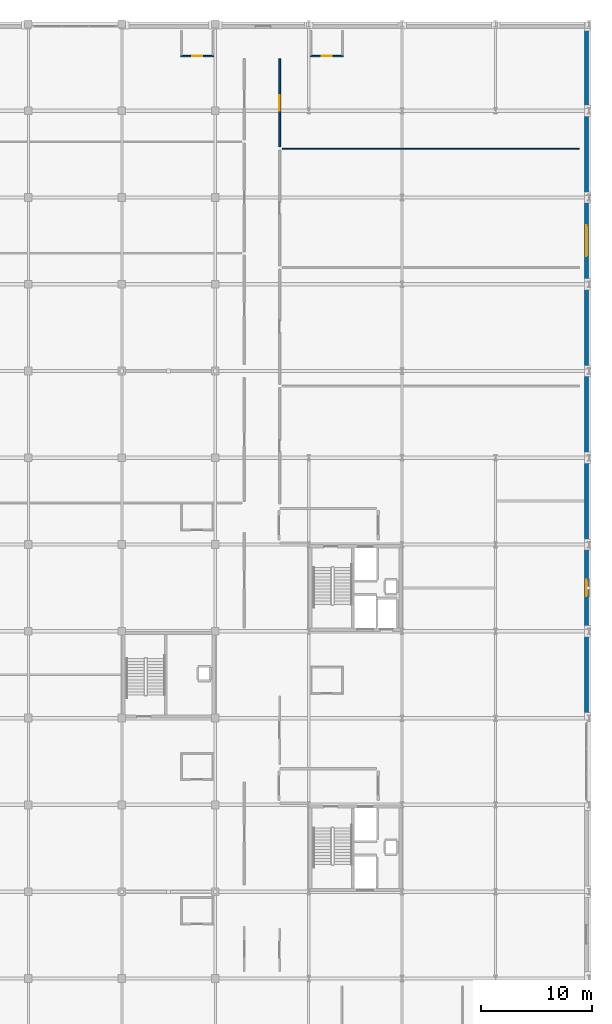
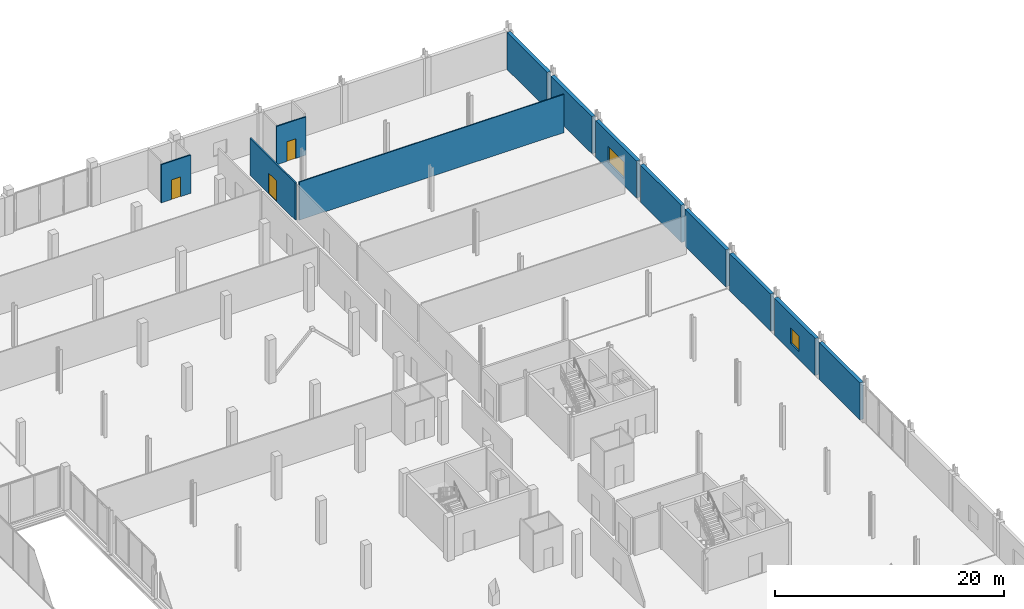
# One storey, part 77 of 98: 12 walls, 3 doors, 2 windows, 5 openings.
"""IFC4 building model written with IfcOpenShell, lengths in metres."""

from ifc_helpers import new_model, si_unit, direction, frame, frame_2d, origin, place, context, subcontext, project, spatial, rectangle, extrude, material, layer, layer_set, type_object, element, fill, save


model = new_model("IFC4")

# Units and contexts
model_context = context("Model", 3, precision=1e-05, world=origin(), true_north=direction((0.0, 1.0)))
body_context = subcontext(model_context, "Body", "Model", "MODEL_VIEW")
ifc_project = project(units=[si_unit("LENGTHUNIT", "METRE"), si_unit("AREAUNIT", "SQUARE_METRE"), si_unit("VOLUMEUNIT", "CUBIC_METRE"), si_unit("PLANEANGLEUNIT", "RADIAN"), si_unit("MASSUNIT", "GRAM", prefix="KILO")], contexts=[model_context])

# Site, building, storey
site_placement = place(None, origin())
site = spatial("IfcSite", under=ifc_project, at=site_placement, CompositionType="ELEMENT")
building_placement = place(site_placement, origin())
building = spatial("IfcBuilding", under=site, at=building_placement, Name="Nabrawat Pavilion Hospital", CompositionType="ELEMENT")
storey_placement = place(building_placement, frame((0.0, 0.0, 10.199951171875)))
storey = spatial("IfcBuildingStorey", under=building, at=storey_placement, Name="L02", CompositionType="ELEMENT", Elevation=10.199951171875)

# Wall
ifc_material_1 = material(Name="Gypsum Plasterboard on Stud", Category="gypsum")
ifc_layer_1 = layer(ifc_material_1, 0.10009765625, Name="Gypsum Plasterboard on Stud")
ifc_layer_set_1 = layer_set([ifc_layer_1], Name="Gypsum Plasterboard on Stud")
wall_type_1 = type_object("IfcWallType", Name="Clean Utility Sub-Partition 100", PredefinedType="PARTITIONING", material=ifc_layer_set_1)
wall_1_placement = place(storey_placement, frame((165.610107421875, 113.58740234375, 0.0), z_axis=(0.0, 0.0, 1.0), x_axis=(1.0, 0.0, 0.0)))
element("IfcWall", 1, at=wall_1_placement, inside=storey, type_object=wall_type_1, Name="L02 Surgical Step-Down Acute Clinical Care Hub L02-12 Dividing Partition", PredefinedType="PARTITIONING", context=body_context, shape_type="SweptSolid", body=[
    extrude(rectangle(XDim=26.699951171875, YDim=0.10009765625, at=frame_2d((13.35009765625, 0.0))), origin(), (0.0, 0.0, 1.0), 4.080078125),
])

# Wall, opening, door
ifc_material_2 = material(Name="Gypsum Fireboard on Steel Stud", Category="steel")
ifc_layer_2 = layer(ifc_material_2, 0.14990234375, Name="Gypsum Fireboard on Steel Stud")
ifc_layer_set_2 = layer_set([ifc_layer_2], Name="Gypsum Fireboard on Steel Stud")
wall_type_2 = type_object("IfcWallType", Name="Clinical Corridor Smoke-Barrier Wall 150", PredefinedType="PARTITIONING", material=ifc_layer_set_2)
wall_2_placement = place(storey_placement, frame((165.389892578125, 113.74755859375, 0.0), z_axis=(0.0, 0.0, 1.0), x_axis=(0.0, 1.0, 0.0)))
wall_2 = element("IfcWall", 2, at=wall_2_placement, inside=storey, type_object=wall_type_2, Name="L02 Inpatient Ward Surgical Single Bedroom L02-13 Front Partition", PredefinedType="PARTITIONING", context=body_context, shape_type="SweptSolid", body=[
    extrude(rectangle(XDim=7.92236328125, YDim=0.14990234375, at=frame_2d((3.961181640625, 0.0))), origin(), (0.0, 0.0, 1.0), 3.949951171875),
])
opening_1_placement = place(wall_2_placement, frame((3.26123046875, 0.0, 0.0)))
opening_1 = element("IfcOpeningElement", 3, at=opening_1_placement, cuts=wall_2, Name="Opening D-BED", PredefinedType="OPENING", context=body_context, shape_type="SweptSolid", body=[
    extrude(rectangle(XDim=1.39990234375, YDim=2.199951171875, at=frame_2d((0.699951171875, 1.10009765625))), frame((0.0, 0.0849609375, 0.0), z_axis=(0.0, -1.0, 0.0), x_axis=(1.0, 0.0, 0.0)), (0.0, 0.0, 1.0), 0.169921875),
])
ifc_material_3 = material(Name="Stainless-Clad Acoustic Timber and Vision Glass", Category="wood")
door_type_1 = type_object("IfcDoorType", Name="D-BED Inpatient Ward Leaf-and-a-Half Door 1400x2200", OperationType="NOTDEFINED", PredefinedType="DOOR", material=ifc_material_3)
door_1_placement = place(opening_1_placement, origin())
door_1 = element("IfcDoor", 4, at=door_1_placement, inside=storey, type_object=door_type_1, Name="Inpatient Ward Surgical Single Bedroom L02-13 Door", OperationType="SINGLE_SWING_LEFT", OverallHeight=2.199951171875, OverallWidth=1.39990234375, PredefinedType="DOOR", context=body_context, shape_type="SweptSolid", body=[
    extrude(rectangle(XDim=1.39990234375, YDim=2.199951171875, at=frame_2d((0.699951171875, 1.10009765625))), frame((0.0, 0.02490234375, 0.0), z_axis=(0.0, -1.0, 0.0), x_axis=(1.0, 0.0, 0.0)), (0.0, 0.0, 1.0), 0.050048828125),
])
fill(opening_1, door_1)

ifc_material_4 = material(Name="Cement Board on Steel Stud", Category="steel")
ifc_layer_3 = layer(ifc_material_4, 0.1298828125, Name="Cement Board on Steel Stud")
ifc_layer_set_3 = layer_set([ifc_layer_3], Name="Cement Board on Steel Stud")
wall_type_3 = type_object("IfcWallType", Name="En-Suite Moisture-Resistant Partition 130", PredefinedType="PARTITIONING", material=ifc_layer_set_3)
wall_3_placement = place(storey_placement, frame((156.4951171875, 121.909912109375, 0.0), z_axis=(0.0, 0.0, 1.0), x_axis=(1.0, 0.0, 0.0)))
wall_3 = element("IfcWall", 5, at=wall_3_placement, inside=storey, type_object=wall_type_3, Name="L02 En-Suite Bathroom WRD-SRG-07 Front Partition", PredefinedType="PARTITIONING", context=body_context, shape_type="SweptSolid", body=[
    extrude(rectangle(XDim=2.97998046875, YDim=0.1298828125, at=frame_2d((1.489990234375, 0.0))), origin(), (0.0, 0.0, 1.0), 4.080078125),
])
opening_2_placement = place(wall_3_placement, frame((1.0400390625, 0.0, 0.0)))
opening_2 = element("IfcOpeningElement", 6, at=opening_2_placement, cuts=wall_3, Name="Opening D-ENS-L", PredefinedType="OPENING", context=body_context, shape_type="SweptSolid", body=[
    extrude(rectangle(XDim=0.89990234375, YDim=2.10009765625, at=frame_2d((0.449951171875, 1.050048828125))), frame((0.0, 0.074951171875, 0.0), z_axis=(0.0, -1.0, 0.0), x_axis=(1.0, 0.0, 0.0)), (0.0, 0.0, 1.0), 0.14990234375),
])
door_type_2 = type_object("IfcDoorType", Name="En-Suite Bathroom Outward Door L 900x2100", OperationType="NOTDEFINED", PredefinedType="DOOR", material=ifc_material_3)
door_2_placement = place(opening_2_placement, origin())
door_2 = element("IfcDoor", 7, at=door_2_placement, inside=storey, type_object=door_type_2, Name="En-Suite Bathroom WRD-SRG-07 Door", OperationType="SINGLE_SWING_RIGHT", OverallHeight=2.10009765625, OverallWidth=0.89990234375, PredefinedType="DOOR", context=body_context, shape_type="SweptSolid", body=[
    extrude(rectangle(XDim=0.89990234375, YDim=2.10009765625, at=frame_2d((0.449951171875, 1.050048828125))), frame((0.0, 0.02490234375, 0.0), z_axis=(0.0, -1.0, 0.0), x_axis=(1.0, 0.0, 0.0)), (0.0, 0.0, 1.0), 0.050048828125),
])
fill(opening_2, door_2)

wall_4_placement = place(storey_placement, frame((168.125, 121.909912109375, 0.0), z_axis=(0.0, 0.0, 1.0), x_axis=(1.0, 0.0, 0.0)))
wall_4 = element("IfcWall", 8, at=wall_4_placement, inside=storey, type_object=wall_type_3, Name="L02 En-Suite Bathroom WRD-SRG-13 Front Partition", PredefinedType="PARTITIONING", context=body_context, shape_type="SweptSolid", body=[
    extrude(rectangle(XDim=2.97998046875, YDim=0.1298828125, at=frame_2d((1.489990234375, 0.0))), origin(), (0.0, 0.0, 1.0), 4.080078125),
])
opening_3_placement = place(wall_4_placement, frame((1.0400390625, 0.0, 0.0)))
opening_3 = element("IfcOpeningElement", 9, at=opening_3_placement, cuts=wall_4, Name="Opening D-ENS-L", PredefinedType="OPENING", context=body_context, shape_type="SweptSolid", body=[
    extrude(rectangle(XDim=0.89990234375, YDim=2.10009765625, at=frame_2d((0.449951171875, 1.050048828125))), frame((0.0, 0.074951171875, 0.0), z_axis=(0.0, -1.0, 0.0), x_axis=(1.0, 0.0, 0.0)), (0.0, 0.0, 1.0), 0.14990234375),
])
door_3_placement = place(opening_3_placement, origin())
door_3 = element("IfcDoor", 10, at=door_3_placement, inside=storey, type_object=door_type_2, Name="En-Suite Bathroom WRD-SRG-13 Door", OperationType="SINGLE_SWING_RIGHT", OverallHeight=2.10009765625, OverallWidth=0.89990234375, PredefinedType="DOOR", context=body_context, shape_type="SweptSolid", body=[
    extrude(rectangle(XDim=0.89990234375, YDim=2.10009765625, at=frame_2d((0.449951171875, 1.050048828125))), frame((0.0, 0.02490234375, 0.0), z_axis=(0.0, -1.0, 0.0), x_axis=(1.0, 0.0, 0.0)), (0.0, 0.0, 1.0), 0.050048828125),
])
fill(opening_3, door_3)

# Wall
ifc_material_5 = material(Name="Precast concrete C40/50", Category="concrete")
ifc_layer_4 = layer(ifc_material_5, 0.360107421875, Name="Precast concrete C40/50")
ifc_layer_set_4 = layer_set([ifc_layer_4], Name="Precast concrete C40/50")
wall_type_4 = type_object("IfcWallType", Name="Surgical Acoustic Precast Facade Wall 360", PredefinedType="SOLIDWALL", material=ifc_layer_set_4)
wall_5_placement = place(storey_placement, frame((192.97998046875, 62.72509765625, 0.0), z_axis=(0.0, 0.0, 1.0), x_axis=(0.0, 1.0, 0.0)))
element("IfcWall", 11, at=wall_5_placement, inside=storey, type_object=wall_type_4, Name="L02 Surgical Acoustic Precast Facade Wall 360 292", PredefinedType="SOLIDWALL", context=body_context, shape_type="SweptSolid", body=[
    extrude(rectangle(XDim=7.14990234375, YDim=0.360107421875, at=frame_2d((3.574951171875, 0.0))), origin(), (0.0, 0.0, 1.0), 3.949951171875),
])

# Wall, opening, window
wall_6_placement = place(storey_placement, frame((192.97998046875, 70.52490234375, 0.0), z_axis=(0.0, 0.0, 1.0), x_axis=(0.0, 1.0, 0.0)))
wall_6 = element("IfcWall", 12, at=wall_6_placement, inside=storey, type_object=wall_type_4, Name="L02 Surgical Acoustic Precast Facade Wall 360 293", PredefinedType="SOLIDWALL", context=body_context, shape_type="SweptSolid", body=[
    extrude(rectangle(XDim=7.150146484375, YDim=0.360107421875, at=frame_2d((3.5751953125, 0.0))), origin(), (0.0, 0.0, 1.0), 3.949951171875),
])
opening_4_placement = place(wall_6_placement, frame((2.85009765625, 0.0, 0.85009765625)))
opening_4 = element("IfcOpeningElement", 13, at=opening_4_placement, cuts=wall_6, Name="Opening WN-14", PredefinedType="OPENING", context=body_context, shape_type="SweptSolid", body=[
    extrude(rectangle(XDim=1.449951171875, YDim=1.64990234375, at=frame_2d((0.72509765625, 0.824951171875))), frame((0.0, 0.18994140625, 0.0), z_axis=(0.0, -1.0, 0.0), x_axis=(1.0, 0.0, 0.0)), (0.0, 0.0, 1.0), 0.380126953125),
])
ifc_material_6 = material(Name="Thermally Broken Aluminium and Solar Glass", Category="aluminium")
window_type_1 = type_object("IfcWindowType", Name="Oncology Protective Ward Window 1450x1650", PartitioningType="SINGLE_PANEL", PredefinedType="WINDOW", material=ifc_material_6)
window_1_placement = place(opening_4_placement, origin())
window_1 = element("IfcWindow", 14, at=window_1_placement, inside=storey, type_object=window_type_1, Name="L02 Oncology Protective Ward Window 1450x1650 110", OverallHeight=1.64990234375, OverallWidth=1.449951171875, PartitioningType="SINGLE_PANEL", PredefinedType="WINDOW", context=body_context, shape_type="SweptSolid", body=[
    extrude(rectangle(XDim=1.449951171875, YDim=1.64990234375, at=frame_2d((0.72509765625, 0.824951171875))), frame((0.0, 0.030029296875, 0.0), z_axis=(0.0, -1.0, 0.0), x_axis=(1.0, 0.0, 0.0)), (0.0, 0.0, 1.0), 0.06005859375),
])
fill(opening_4, window_1)

# Walls
wall_7_placement = place(storey_placement, frame((192.97998046875, 78.324951171875, 0.0), z_axis=(0.0, 0.0, 1.0), x_axis=(0.0, 1.0, 0.0)))
element("IfcWall", 15, at=wall_7_placement, inside=storey, type_object=wall_type_4, Name="L02 Surgical Acoustic Precast Facade Wall 360 294", PredefinedType="SOLIDWALL", context=body_context, shape_type="SweptSolid", body=[
    extrude(rectangle(XDim=7.150146484375, YDim=0.360107421875, at=frame_2d((3.5751953125, 0.0))), origin(), (0.0, 0.0, 1.0), 3.949951171875),
])
for number, where, z_axis, x_axis, name in (
    (16, (192.97998046875, 86.125, 0.0), (0.0, 0.0, 1.0), (0.0, 1.0, 0.0), "L02 Surgical Acoustic Precast Facade Wall 360 295"),
    (17, (192.97998046875, 93.925048828125, 0.0), (0.0, 0.0, 1.0), (0.0, 1.0, 0.0), "L02 Surgical Acoustic Precast Facade Wall 360 296"),
):
    element("IfcWall", number, at=place(storey_placement, frame(where, z_axis=z_axis, x_axis=x_axis)), inside=storey, type_object=wall_type_4, Name=name, PredefinedType="SOLIDWALL", context=body_context, shape_type="SweptSolid", body=[
        extrude(rectangle(XDim=7.14990234375, YDim=0.360107421875, at=frame_2d((3.574951171875, 0.0))), origin(), (0.0, 0.0, 1.0), 3.949951171875),
    ])

# Wall, opening, window
wall_8_placement = place(storey_placement, frame((192.97998046875, 101.72509765625, 0.0), z_axis=(0.0, 0.0, 1.0), x_axis=(0.0, 1.0, 0.0)))
wall_8 = element("IfcWall", 18, at=wall_8_placement, inside=storey, type_object=wall_type_4, Name="L02 Surgical Acoustic Precast Facade Wall 360 297", PredefinedType="SOLIDWALL", context=body_context, shape_type="SweptSolid", body=[
    extrude(rectangle(XDim=7.14990234375, YDim=0.360107421875, at=frame_2d((3.574951171875, 0.0))), origin(), (0.0, 0.0, 1.0), 3.949951171875),
])
opening_5_placement = place(wall_8_placement, frame((2.175048828125, 0.0, 0.75)))
opening_5 = element("IfcOpeningElement", 19, at=opening_5_placement, cuts=wall_8, Name="Opening WN-15", PredefinedType="OPENING", context=body_context, shape_type="SweptSolid", body=[
    extrude(rectangle(XDim=2.800048828125, YDim=1.75, at=frame_2d((1.39990234375, 0.875))), frame((0.0, 0.18994140625, 0.0), z_axis=(0.0, -1.0, 0.0), x_axis=(1.0, 0.0, 0.0)), (0.0, 0.0, 1.0), 0.380126953125),
])
window_type_2 = type_object("IfcWindowType", Name="Neurology Rehab Lounge Window 2800x1750", PartitioningType="SINGLE_PANEL", PredefinedType="WINDOW", material=ifc_material_6)
window_2_placement = place(opening_5_placement, origin())
window_2 = element("IfcWindow", 20, at=window_2_placement, inside=storey, type_object=window_type_2, Name="L02 Neurology Rehab Lounge Window 2800x1750 111", OverallHeight=1.75, OverallWidth=2.800048828125, PartitioningType="SINGLE_PANEL", PredefinedType="WINDOW", context=body_context, shape_type="SweptSolid", body=[
    extrude(rectangle(XDim=2.800048828125, YDim=1.75, at=frame_2d((1.39990234375, 0.875))), frame((0.0, 0.030029296875, 0.0), z_axis=(0.0, -1.0, 0.0), x_axis=(1.0, 0.0, 0.0)), (0.0, 0.0, 1.0), 0.06005859375),
])
fill(opening_5, window_2)

# Walls
wall_9_placement = place(storey_placement, frame((192.97998046875, 109.52490234375, 0.0), z_axis=(0.0, 0.0, 1.0), x_axis=(0.0, 1.0, 0.0)))
element("IfcWall", 21, at=wall_9_placement, inside=storey, type_object=wall_type_4, Name="L02 Surgical Acoustic Precast Facade Wall 360 298", PredefinedType="SOLIDWALL", context=body_context, shape_type="SweptSolid", body=[
    extrude(rectangle(XDim=7.150146484375, YDim=0.360107421875, at=frame_2d((3.5751953125, 0.0))), origin(), (0.0, 0.0, 1.0), 3.949951171875),
])
wall_10_placement = place(storey_placement, frame((192.97998046875, 117.324951171875, 0.0), z_axis=(0.0, 0.0, 1.0), x_axis=(0.0, 1.0, 0.0)))
element("IfcWall", 22, at=wall_10_placement, inside=storey, type_object=wall_type_4, Name="L02 Surgical Acoustic Precast Facade Wall 360 299", PredefinedType="SOLIDWALL", context=body_context, shape_type="SweptSolid", body=[
    extrude(rectangle(XDim=7.03515625, YDim=0.360107421875, at=frame_2d((3.517578125, 0.0))), origin(), (0.0, 0.0, 1.0), 3.949951171875),
])

save(model, "model.ifc")
